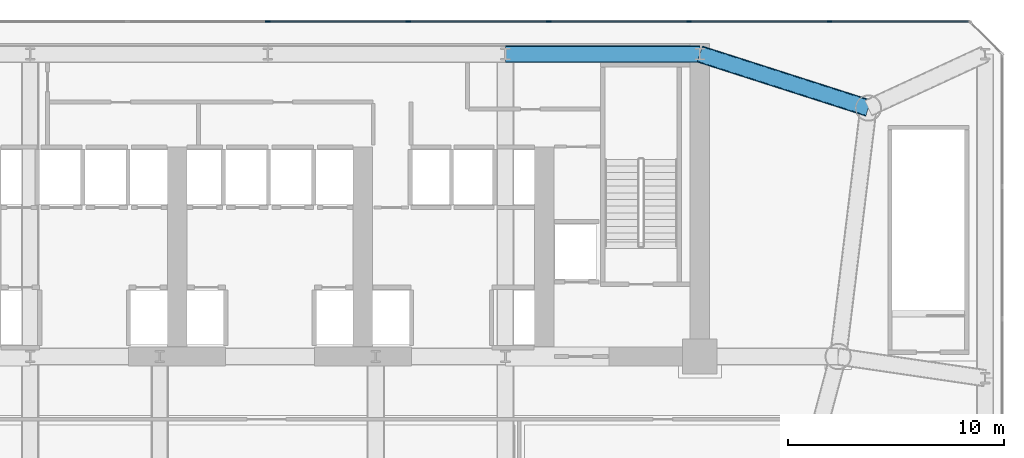
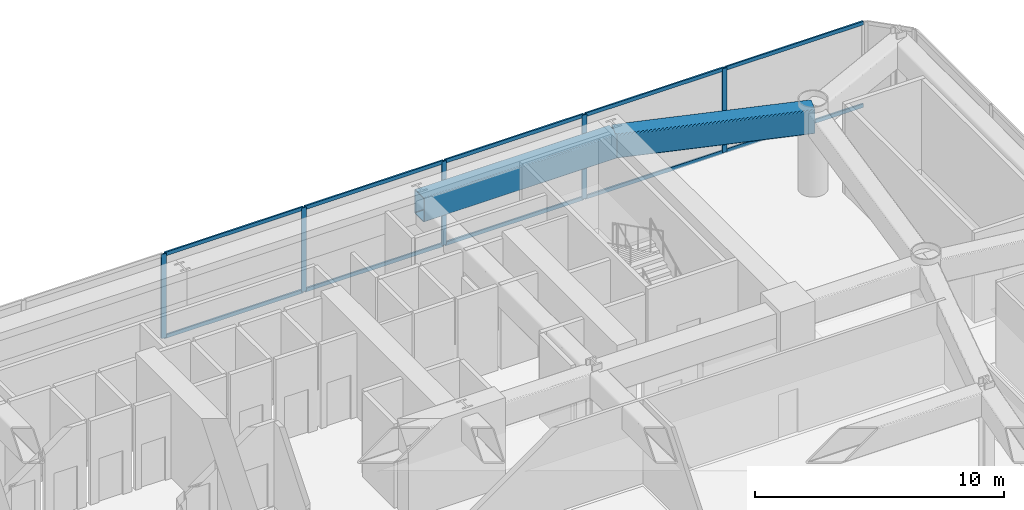
# One storey, part 9 of 21: 15 members, 2 beams, 1 element without a shape of its own.
"""IFC4 building model written with IfcOpenShell, lengths in metres."""

from ifc_helpers import new_model, si_unit, direction, frame, origin, origin_2d, place, context, subcontext, project, spatial, rectangle, hollow_rectangle, extrude, source, transform, mapped, material, layer, layer_set, material_profile, profile_set, type_object, element, aggregate, save


model = new_model("IFC4")

# Units and contexts
model_context = context("Model", 3, precision=1e-05, world=origin(), true_north=direction((0.0, 1.0)))
body_context = subcontext(model_context, "Body", "Model", "MODEL_VIEW")
ifc_project = project(units=[si_unit("LENGTHUNIT", "METRE"), si_unit("AREAUNIT", "SQUARE_METRE"), si_unit("VOLUMEUNIT", "CUBIC_METRE"), si_unit("PLANEANGLEUNIT", "RADIAN"), si_unit("MASSUNIT", "GRAM", prefix="KILO")], contexts=[model_context])

# Site, building, storey
site_placement = place(None, origin())
site = spatial("IfcSite", under=ifc_project, at=site_placement, CompositionType="ELEMENT")
building_placement = place(site_placement, origin())
building = spatial("IfcBuilding", under=site, at=building_placement, Name="Vaeldorn Concourse Tower", CompositionType="ELEMENT")
storey_placement = place(building_placement, frame((0.0, 0.0, 14.39990234375)))
storey = spatial("IfcBuildingStorey", under=building, at=storey_placement, Name="L03", CompositionType="ELEMENT", Elevation=14.39990234375)

# Beams
ifc_material_1 = material(Name="Steel S460", Category="steel")
ifc_material_profile_1 = material_profile(ifc_material_1, hollow_rectangle(XDim=0.800048828125, YDim=1.199951171875, WallThickness=0.044921875, InnerFilletRadius=0.044921875, OuterFilletRadius=0.090087890625, at=origin_2d()), Name="RHS 1200x800x45")
ifc_profile_set_1 = profile_set([ifc_material_profile_1], Name="Steel S460")
beam_type = type_object("IfcBeamType", Name="BM-TG-RHS1200", PredefinedType="BEAM", material=ifc_profile_set_1)
shared_shape_1 = source(origin(), body_context, "Body", "SweptSolid", [
    extrude(hollow_rectangle(XDim=0.800048828125, YDim=1.199951171875, WallThickness=0.044921875, InnerFilletRadius=0.044921875, OuterFilletRadius=0.090087890625, at=origin_2d()), origin(), (0.0, 0.0, 1.0), 9.0),
])
beam_1_placement = place(storey_placement, frame((45.0, 50.5, 3.52001953125), z_axis=(1.0, 0.0, 0.0), x_axis=(0.0, 1.0, 0.0)))
element("IfcBeam", 1, at=beam_1_placement, inside=storey, type_object=beam_type, Name="Beam BM-L03-C-HC4-C-HC5", PredefinedType="BEAM", context=body_context, shape_type="MappedRepresentation", body=[
    mapped(shared_shape_1, transform((0.0, 0.0, 0.0), scale=1.0)),
])
shared_shape_2 = source(origin(), body_context, "Body", "SweptSolid", [
    extrude(hollow_rectangle(XDim=0.800048828125, YDim=1.199951171875, WallThickness=0.044921875, InnerFilletRadius=0.044921875, OuterFilletRadius=0.090087890625, at=origin_2d()), origin(), (0.0, 0.0, 1.0), 8.19091796875),
])
beam_2_placement = place(storey_placement, frame((54.0, 50.5, 3.52001953125), z_axis=(0.952282843383, -0.305216949396, 0.0), x_axis=(0.305216949396, 0.952282843383, 0.0)))
element("IfcBeam", 2, at=beam_2_placement, inside=storey, type_object=beam_type, Name="Beam BM-L03-TG-33", PredefinedType="BEAM", context=body_context, shape_type="MappedRepresentation", body=[
    mapped(shared_shape_2, transform((0.0, 0.0, 0.0), scale=1.0)),
])

# Curtain wall, members
ifc_material_2 = material(Name="Anodised Bronze Aluminium", Category="aluminium")
ifc_layer = layer(ifc_material_2, 0.239990234375)
ifc_layer_set = layer_set([ifc_layer], Name="Anodised Bronze Aluminium")
curtain_wall_type = type_object("IfcCurtainWallType", Name="CW-SYS-04", PredefinedType="NOTDEFINED", material=ifc_layer_set)
curtain_wall_placement = place(storey_placement, origin())
curtain_wall = element("IfcCurtainWall", 3, at=curtain_wall_placement, inside=storey, type_object=curtain_wall_type, Name="Unitised Curtain Wall CW-L03-E05-1", PredefinedType="NOTDEFINED")
ifc_material_profile_2 = material_profile(ifc_material_2, rectangle(XDim=0.074951171875, YDim=0.179931640625, at=origin_2d()), Name="CWT 75x180")
ifc_profile_set_2 = profile_set([ifc_material_profile_2], Name="Anodised Bronze Aluminium")
member_type_1 = type_object("IfcMemberType", Name="CWT-BRONZE-180", PredefinedType="USERDEFINED", material=ifc_profile_set_2)
shared_shape_3 = source(origin(), body_context, "Body", "SweptSolid", [
    extrude(rectangle(XDim=0.074951171875, YDim=0.179931640625, at=origin_2d()), origin(), (0.0, 0.0, 1.0), 6.387451171875),
])
member_1_placement = place(storey_placement, frame((66.425048828125, 52.0, 0.03759765625), z_axis=(-1.0, 0.0, 0.0), x_axis=(0.0, -1.0, 0.0)))
member_1 = element("IfcMember", 4, at=member_1_placement, type_object=member_type_1, Name="CW-04 transom 1.1", ObjectType="TRANSOM", PredefinedType="USERDEFINED", context=body_context, shape_type="MappedRepresentation", body=[
    mapped(shared_shape_3, transform((0.0, 0.0, 0.0), scale=1.0)),
])
member_2_placement = place(storey_placement, frame((66.425048828125, 52.0, 4.08251953125), z_axis=(-1.0, 0.0, 0.0), x_axis=(0.0, -1.0, 0.0)))
member_2 = element("IfcMember", 5, at=member_2_placement, type_object=member_type_1, Name="CW-04 transom 1.2", ObjectType="TRANSOM", PredefinedType="USERDEFINED", context=body_context, shape_type="MappedRepresentation", body=[
    mapped(shared_shape_3, transform((0.0, 0.0, 0.0), scale=1.0)),
])
shared_shape_4 = source(origin(), body_context, "Body", "SweptSolid", [
    extrude(rectangle(XDim=0.074951171875, YDim=0.179931640625, at=origin_2d()), origin(), (0.0, 0.0, 1.0), 6.4248046875),
])
member_3_placement = place(storey_placement, frame((59.96240234375, 52.0, 0.03759765625), z_axis=(-1.0, 0.0, 0.0), x_axis=(0.0, -1.0, 0.0)))
member_3 = element("IfcMember", 6, at=member_3_placement, type_object=member_type_1, Name="CW-04 transom 2.1", ObjectType="TRANSOM", PredefinedType="USERDEFINED", context=body_context, shape_type="MappedRepresentation", body=[
    mapped(shared_shape_4, transform((0.0, 0.0, 0.0), scale=1.0)),
])
member_4_placement = place(storey_placement, frame((59.96240234375, 52.0, 4.08251953125), z_axis=(-1.0, 0.0, 0.0), x_axis=(0.0, -1.0, 0.0)))
member_4 = element("IfcMember", 7, at=member_4_placement, type_object=member_type_1, Name="CW-04 transom 2.2", ObjectType="TRANSOM", PredefinedType="USERDEFINED", context=body_context, shape_type="MappedRepresentation", body=[
    mapped(shared_shape_4, transform((0.0, 0.0, 0.0), scale=1.0)),
])
member_5_placement = place(storey_placement, frame((53.46240234375, 52.0, 0.03759765625), z_axis=(-1.0, 0.0, 0.0), x_axis=(0.0, -1.0, 0.0)))
member_5 = element("IfcMember", 8, at=member_5_placement, type_object=member_type_1, Name="CW-04 transom 3.1", ObjectType="TRANSOM", PredefinedType="USERDEFINED", context=body_context, shape_type="MappedRepresentation", body=[
    mapped(shared_shape_4, transform((0.0, 0.0, 0.0), scale=1.0)),
])
member_6_placement = place(storey_placement, frame((53.46240234375, 52.0, 4.08251953125), z_axis=(-1.0, 0.0, 0.0), x_axis=(0.0, -1.0, 0.0)))
member_6 = element("IfcMember", 9, at=member_6_placement, type_object=member_type_1, Name="CW-04 transom 3.2", ObjectType="TRANSOM", PredefinedType="USERDEFINED", context=body_context, shape_type="MappedRepresentation", body=[
    mapped(shared_shape_4, transform((0.0, 0.0, 0.0), scale=1.0)),
])
member_7_placement = place(storey_placement, frame((46.96240234375, 52.0, 0.03759765625), z_axis=(-1.0, 0.0, 0.0), x_axis=(0.0, -1.0, 0.0)))
member_7 = element("IfcMember", 10, at=member_7_placement, type_object=member_type_1, Name="CW-04 transom 4.1", ObjectType="TRANSOM", PredefinedType="USERDEFINED", context=body_context, shape_type="MappedRepresentation", body=[
    mapped(shared_shape_4, transform((0.0, 0.0, 0.0), scale=1.0)),
])
member_8_placement = place(storey_placement, frame((46.96240234375, 52.0, 4.08251953125), z_axis=(-1.0, 0.0, 0.0), x_axis=(0.0, -1.0, 0.0)))
member_8 = element("IfcMember", 11, at=member_8_placement, type_object=member_type_1, Name="CW-04 transom 4.2", ObjectType="TRANSOM", PredefinedType="USERDEFINED", context=body_context, shape_type="MappedRepresentation", body=[
    mapped(shared_shape_4, transform((0.0, 0.0, 0.0), scale=1.0)),
])
member_9_placement = place(storey_placement, frame((40.46240234375, 52.0, 0.03759765625), z_axis=(-1.0, 0.0, 0.0), x_axis=(0.0, -1.0, 0.0)))
member_9 = element("IfcMember", 12, at=member_9_placement, type_object=member_type_1, Name="CW-04 transom 5.1", ObjectType="TRANSOM", PredefinedType="USERDEFINED", context=body_context, shape_type="MappedRepresentation", body=[
    mapped(shared_shape_4, transform((0.0, 0.0, 0.0), scale=1.0)),
])
member_10_placement = place(storey_placement, frame((40.46240234375, 52.0, 4.08251953125), z_axis=(-1.0, 0.0, 0.0), x_axis=(0.0, -1.0, 0.0)))
member_10 = element("IfcMember", 13, at=member_10_placement, type_object=member_type_1, Name="CW-04 transom 5.2", ObjectType="TRANSOM", PredefinedType="USERDEFINED", context=body_context, shape_type="MappedRepresentation", body=[
    mapped(shared_shape_4, transform((0.0, 0.0, 0.0), scale=1.0)),
])
ifc_material_profile_3 = material_profile(ifc_material_2, rectangle(XDim=0.074951171875, YDim=0.219970703125, at=origin_2d()), Name="CWM 75x220")
ifc_profile_set_3 = profile_set([ifc_material_profile_3], Name="Anodised Bronze Aluminium")
member_type_2 = type_object("IfcMemberType", Name="CWM-BRONZE-220", PredefinedType="MULLION", material=ifc_profile_set_3)
shared_shape_5 = source(origin(), body_context, "Body", "SweptSolid", [
    extrude(rectangle(XDim=0.074951171875, YDim=0.219970703125, at=origin_2d()), origin(), (0.0, 0.0, 1.0), 4.1201171875),
])
member_11_placement = place(storey_placement, frame((60.0, 52.0, 0.0), z_axis=(0.0, 0.0, 1.0), x_axis=(0.0, -1.0, 0.0)))
member_11 = element("IfcMember", 14, at=member_11_placement, type_object=member_type_2, Name="CW-04 mullion 2", PredefinedType="MULLION", context=body_context, shape_type="MappedRepresentation", body=[
    mapped(shared_shape_5, transform((0.0, 0.0, 0.0), scale=1.0)),
])
member_12_placement = place(storey_placement, frame((53.5, 52.0, 0.0), z_axis=(0.0, 0.0, 1.0), x_axis=(0.0, -1.0, 0.0)))
member_12 = element("IfcMember", 15, at=member_12_placement, type_object=member_type_2, Name="CW-04 mullion 3", PredefinedType="MULLION", context=body_context, shape_type="MappedRepresentation", body=[
    mapped(shared_shape_5, transform((0.0, 0.0, 0.0), scale=1.0)),
])
member_13_placement = place(storey_placement, frame((47.0, 52.0, 0.0), z_axis=(0.0, 0.0, 1.0), x_axis=(0.0, -1.0, 0.0)))
member_13 = element("IfcMember", 16, at=member_13_placement, type_object=member_type_2, Name="CW-04 mullion 4", PredefinedType="MULLION", context=body_context, shape_type="MappedRepresentation", body=[
    mapped(shared_shape_5, transform((0.0, 0.0, 0.0), scale=1.0)),
])
member_14_placement = place(storey_placement, frame((40.5, 52.0, 0.0), z_axis=(0.0, 0.0, 1.0), x_axis=(0.0, -1.0, 0.0)))
member_14 = element("IfcMember", 17, at=member_14_placement, type_object=member_type_2, Name="CW-04 mullion 5", PredefinedType="MULLION", context=body_context, shape_type="MappedRepresentation", body=[
    mapped(shared_shape_5, transform((0.0, 0.0, 0.0), scale=1.0)),
])
member_15_placement = place(storey_placement, frame((34.0, 52.0, 0.0), z_axis=(0.0, 0.0, 1.0), x_axis=(0.0, -1.0, 0.0)))
member_15 = element("IfcMember", 18, at=member_15_placement, type_object=member_type_2, Name="CW-04 mullion 6", PredefinedType="MULLION", context=body_context, shape_type="MappedRepresentation", body=[
    mapped(shared_shape_5, transform((0.0, 0.0, 0.0), scale=1.0)),
])
aggregate(curtain_wall, [member_11, member_12, member_13, member_14, member_15, member_1, member_2, member_3, member_4, member_5, member_6, member_7, member_8, member_9, member_10])

save(model, "model.ifc")
